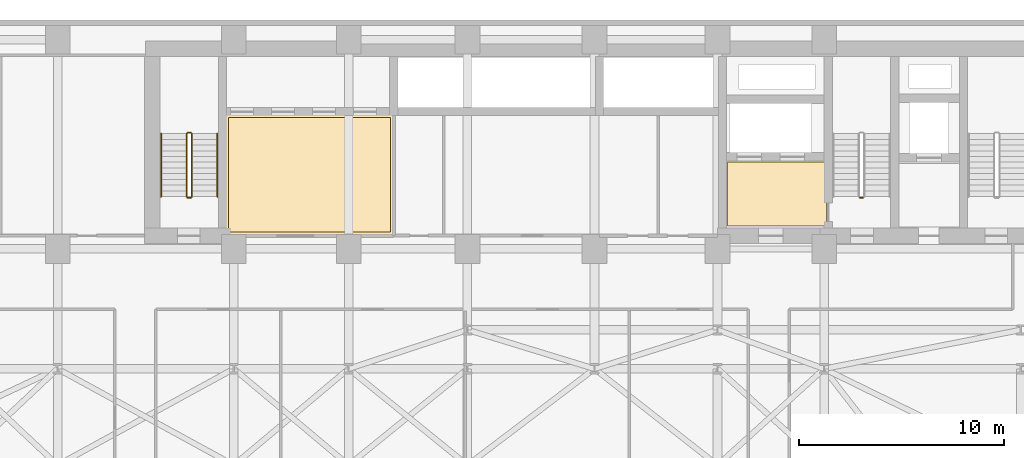
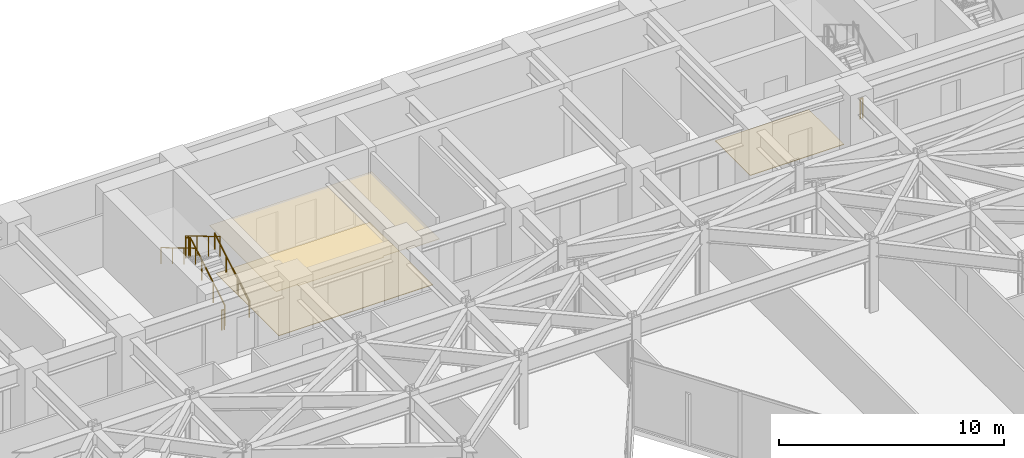
# One storey, part 23 of 24: 7 railings, 3 coverings.
"""IFC4 building model written with IfcOpenShell, lengths in metres."""

from ifc_helpers import new_model, si_unit, direction, frame, origin, origin_2d, place, context, subcontext, project, spatial, polyline, circle, outline, extrude, material, layer, layer_set, type_object, element, save


model = new_model("IFC4")

# Units and contexts
model_context = context("Model", 3, precision=1e-05, world=origin(), true_north=direction((0.0, 1.0)))
body_context = subcontext(model_context, "Body", "Model", "MODEL_VIEW")
ifc_project = project(units=[si_unit("LENGTHUNIT", "METRE"), si_unit("AREAUNIT", "SQUARE_METRE"), si_unit("VOLUMEUNIT", "CUBIC_METRE"), si_unit("PLANEANGLEUNIT", "RADIAN"), si_unit("MASSUNIT", "GRAM", prefix="KILO")], contexts=[model_context])

# Site, building, storey
site_placement = place(None, origin())
site = spatial("IfcSite", under=ifc_project, at=site_placement, CompositionType="ELEMENT")
building_placement = place(site_placement, origin())
building = spatial("IfcBuilding", under=site, at=building_placement, Name="Kravanh Interchange Tower", CompositionType="ELEMENT")
storey_placement = place(building_placement, frame((0.0, 0.0, 69.5)))
storey = spatial("IfcBuildingStorey", under=building, at=storey_placement, Name="L16", CompositionType="ELEMENT", Elevation=69.5)

# Coverings
ifc_material_1 = material(Name="Cementitious Terrazzo Tile")
ifc_layer_1 = layer(ifc_material_1, 0.030029296875)
ifc_layer_set_1 = layer_set([ifc_layer_1], Name="Honed Terrazzo Lobby Flooring 30mm")
covering_type_1 = type_object("IfcCoveringType", Name="Honed Terrazzo Lobby Flooring 30mm", PredefinedType="FLOORING", material=ifc_layer_set_1)
covering_1_placement = place(storey_placement, origin())
element("IfcCovering", 1, at=covering_1_placement, inside=storey, type_object=covering_type_1, Name="L16 Firefighting Lobby Floor Finish", PredefinedType="FLOORING", context=body_context, shape_type="SweptSolid", body=[
    extrude(outline(polyline([(56.1201171875, 38.4599609375), (51.300048828125, 38.4599609375), (51.300048828125, 41.580078125), (56.1201171875, 41.580078125), (56.1201171875, 38.4599609375)])), origin(), (0.0, 0.0, 1.0), 0.030029296875),
])
covering_2_placement = place(storey_placement, origin())
element("IfcCovering", 2, at=covering_2_placement, inside=storey, type_object=covering_type_1, Name="L16 Low-Rise Lift Lobby Floor Finish", PredefinedType="FLOORING", context=body_context, shape_type="SweptSolid", body=[
    extrude(outline(polyline([(26.929931640625, 43.77001953125), (34.840087890625, 43.77001953125), (34.840087890625, 38.179931640625), (26.929931640625, 38.179931640625), (26.929931640625, 43.77001953125)])), origin(), (0.0, 0.0, 1.0), 0.030029296875),
])
ifc_material_2 = material(Name="Acoustic Mineral Fibre Tile on Aluminium Grid", Category="aluminium")
ifc_layer_2 = layer(ifc_material_2, 0.02490234375)
ifc_layer_set_2 = layer_set([ifc_layer_2], Name="Perforated Acoustic Mineral Ceiling 25mm")
covering_type_2 = type_object("IfcCoveringType", Name="Perforated Acoustic Mineral Ceiling 25mm", PredefinedType="CEILING", material=ifc_layer_set_2)
covering_3_placement = place(storey_placement, frame((0.0, 0.0, 2.550048828125)))
element("IfcCovering", 3, at=covering_3_placement, inside=storey, type_object=covering_type_2, Name="L16 Low-Rise Lift Lobby Suspended Ceiling", PredefinedType="CEILING", context=body_context, shape_type="SweptSolid", body=[
    extrude(outline(polyline([(35.06005859375, 37.9599609375), (33.39990234375, 37.9599609375), (33.39990234375, 38.050048828125), (32.199951171875, 38.050048828125), (32.199951171875, 37.9599609375), (27.800048828125, 37.9599609375), (27.800048828125, 38.050048828125), (26.7099609375, 38.050048828125), (26.7099609375, 43.989990234375), (35.06005859375, 43.989990234375), (35.06005859375, 37.9599609375)])), origin(), (0.0, 0.0, 1.0), 0.02490234375),
])

# Railings
ifc_material_3 = material(Name="Structural Steel S355", Category="steel")
ifc_layer_3 = layer(ifc_material_3, 0.050048828125)
ifc_layer_set_3 = layer_set([ifc_layer_3], Name="Stair Well Guardrail Structural Steel S355 1100mm")
railing_type_1 = type_object("IfcRailingType", Name="Stair Well Guardrail Structural Steel S355 1100mm", PredefinedType="GUARDRAIL", material=ifc_layer_set_3)
railing_1_placement = place(storey_placement, frame((57.89990234375, 39.85009765625, 0.0)))
element("IfcRailing", 4, at=railing_1_placement, inside=storey, type_object=railing_type_1, Name="L16 ST2 stair guard 4", PredefinedType="GUARDRAIL", context=body_context, shape_type="SweptSolid", body=[
    extrude(circle(Radius=0.02392578125, at=origin_2d()), frame((0.0, 0.0, 1.076171875), z_axis=(-1.0, 0.0, 0.0), x_axis=(0.0, -1.0, 0.0)), (0.0, 0.0, 1.0), 0.14990234375),
    extrude(circle(Radius=0.02099609375, at=origin_2d()), origin(), (0.0, 0.0, 1.0), 1.052001953125),
    extrude(circle(Radius=0.02099609375, at=origin_2d()), frame((-0.14990234375, 0.0, 0.0)), (0.0, 0.0, 1.0), 1.052001953125),
])
railing_2_placement = place(storey_placement, frame((25.14990234375, 39.89990234375, 0.166748046875)))
element("IfcRailing", 5, at=railing_2_placement, inside=storey, type_object=railing_type_1, Name="L16 ST3 stair guard 1", PredefinedType="GUARDRAIL", context=body_context, shape_type="SweptSolid", body=[
    extrude(circle(Radius=0.02392578125, at=origin_2d()), frame((0.0, 0.0, 1.076171875), z_axis=(0.0, 0.859308565015, 0.511457515432), x_axis=(-1.0, 0.0, 0.0)), (0.0, 0.0, 1.0), 3.58447265625),
    extrude(circle(Radius=0.02099609375, at=origin_2d()), origin(), (0.0, 0.0, 1.0), 1.052001953125),
    extrude(circle(Radius=0.02099609375, at=origin_2d()), frame((0.0, 1.026611328125, 0.611083984375)), (0.0, 0.0, 1.0), 1.052001953125),
    extrude(circle(Radius=0.02099609375, at=origin_2d()), frame((0.0, 2.053466796875, 1.22216796875)), (0.0, 0.0, 1.0), 1.052001953125),
    extrude(circle(Radius=0.02099609375, at=origin_2d()), frame((0.0, 3.080078125, 1.833251953125)), (0.0, 0.0, 1.0), 1.052001953125),
])
railing_3_placement = place(storey_placement, frame((25.10009765625, 43.030029296875, 2.0)))
element("IfcRailing", 6, at=railing_3_placement, inside=storey, type_object=railing_type_1, Name="L16 ST3 stair guard 2", PredefinedType="GUARDRAIL", context=body_context, shape_type="SweptSolid", body=[
    extrude(circle(Radius=0.02392578125, at=origin_2d()), frame((0.0, 0.0, 1.076171875), z_axis=(-1.0, 0.0, 0.0), x_axis=(0.0, -1.0, 0.0)), (0.0, 0.0, 1.0), 0.150146484375),
    extrude(circle(Radius=0.02099609375, at=origin_2d()), origin(), (0.0, 0.0, 1.0), 1.052001953125),
    extrude(circle(Radius=0.02099609375, at=origin_2d()), frame((-0.150146484375, 0.0, 0.0)), (0.0, 0.0, 1.0), 1.052001953125),
])
railing_4_placement = place(storey_placement, frame((24.89990234375, 42.97998046875, 2.166748046875)))
element("IfcRailing", 7, at=railing_4_placement, inside=storey, type_object=railing_type_1, Name="L16 ST3 stair guard 3", PredefinedType="GUARDRAIL", context=body_context, shape_type="SweptSolid", body=[
    extrude(circle(Radius=0.02392578125, at=origin_2d()), frame((0.0, 0.0, 1.076171875), z_axis=(0.0, -0.859308565015, 0.511457515432), x_axis=(1.0, 0.0, 0.0)), (0.0, 0.0, 1.0), 3.58447265625),
    extrude(circle(Radius=0.02099609375, at=origin_2d()), origin(), (0.0, 0.0, 1.0), 1.052001953125),
    extrude(circle(Radius=0.02099609375, at=origin_2d()), frame((0.0, -1.026611328125, 0.611083984375)), (0.0, 0.0, 1.0), 1.052001953125),
    extrude(circle(Radius=0.02099609375, at=origin_2d()), frame((0.0, -2.053466796875, 1.22216796875)), (0.0, 0.0, 1.0), 1.052001953125),
    extrude(circle(Radius=0.02099609375, at=origin_2d()), frame((0.0, -3.080078125, 1.833251953125)), (0.0, 0.0, 1.0), 1.052001953125),
])
railing_5_placement = place(storey_placement, frame((25.10009765625, 39.85009765625, 0.0)))
element("IfcRailing", 8, at=railing_5_placement, inside=storey, type_object=railing_type_1, Name="L16 ST3 stair guard 4", PredefinedType="GUARDRAIL", context=body_context, shape_type="SweptSolid", body=[
    extrude(circle(Radius=0.02392578125, at=origin_2d()), frame((0.0, 0.0, 1.076171875), z_axis=(-1.0, 0.0, 0.0), x_axis=(0.0, -1.0, 0.0)), (0.0, 0.0, 1.0), 0.150146484375),
    extrude(circle(Radius=0.02099609375, at=origin_2d()), origin(), (0.0, 0.0, 1.0), 1.052001953125),
    extrude(circle(Radius=0.02099609375, at=origin_2d()), frame((-0.150146484375, 0.0, 0.0)), (0.0, 0.0, 1.0), 1.052001953125),
])
ifc_material_4 = material(Name="Stainless Steel 304", Category="steel")
ifc_layer_4 = layer(ifc_material_4, 0.044921875)
ifc_layer_set_4 = layer_set([ifc_layer_4], Name="Tubular Stair Handrail Stainless 304 900mm")
railing_type_2 = type_object("IfcRailingType", Name="Tubular Stair Handrail Stainless 304 900mm", PredefinedType="HANDRAIL", material=ifc_layer_set_4)
railing_6_placement = place(storey_placement, frame((26.39990234375, 39.89990234375, 0.166748046875)))
element("IfcRailing", 9, at=railing_6_placement, inside=storey, type_object=railing_type_2, Name="L16 ST3 stair handrail 1", PredefinedType="HANDRAIL", context=body_context, shape_type="SweptSolid", body=[
    extrude(circle(Radius=0.02392578125, at=origin_2d()), frame((0.0, 0.0, 0.8759765625), z_axis=(0.0, 0.859308565015, 0.511457515432), x_axis=(-1.0, 0.0, 0.0)), (0.0, 0.0, 1.0), 3.58447265625),
    extrude(circle(Radius=0.02099609375, at=origin_2d()), origin(), (0.0, 0.0, 1.0), 0.851806640625),
    extrude(circle(Radius=0.02099609375, at=origin_2d()), frame((0.0, 1.026611328125, 0.611083984375)), (0.0, 0.0, 1.0), 0.851806640625),
    extrude(circle(Radius=0.02099609375, at=origin_2d()), frame((0.0, 2.053466796875, 1.22216796875)), (0.0, 0.0, 1.0), 0.851806640625),
    extrude(circle(Radius=0.02099609375, at=origin_2d()), frame((0.0, 3.080078125, 1.833251953125)), (0.0, 0.0, 1.0), 0.851806640625),
])
railing_7_placement = place(storey_placement, frame((23.64990234375, 42.97998046875, 2.166748046875)))
element("IfcRailing", 10, at=railing_7_placement, inside=storey, type_object=railing_type_2, Name="L16 ST3 stair handrail 2", PredefinedType="HANDRAIL", context=body_context, shape_type="SweptSolid", body=[
    extrude(circle(Radius=0.02392578125, at=origin_2d()), frame((0.0, 0.0, 0.8759765625), z_axis=(0.0, -0.859308565015, 0.511457515432), x_axis=(1.0, 0.0, 0.0)), (0.0, 0.0, 1.0), 3.58447265625),
    extrude(circle(Radius=0.02099609375, at=origin_2d()), origin(), (0.0, 0.0, 1.0), 0.851806640625),
    extrude(circle(Radius=0.02099609375, at=origin_2d()), frame((0.0, -1.026611328125, 0.611083984375)), (0.0, 0.0, 1.0), 0.851806640625),
    extrude(circle(Radius=0.02099609375, at=origin_2d()), frame((0.0, -2.053466796875, 1.22216796875)), (0.0, 0.0, 1.0), 0.851806640625),
    extrude(circle(Radius=0.02099609375, at=origin_2d()), frame((0.0, -3.080078125, 1.833251953125)), (0.0, 0.0, 1.0), 0.851806640625),
])

save(model, "model.ifc")
